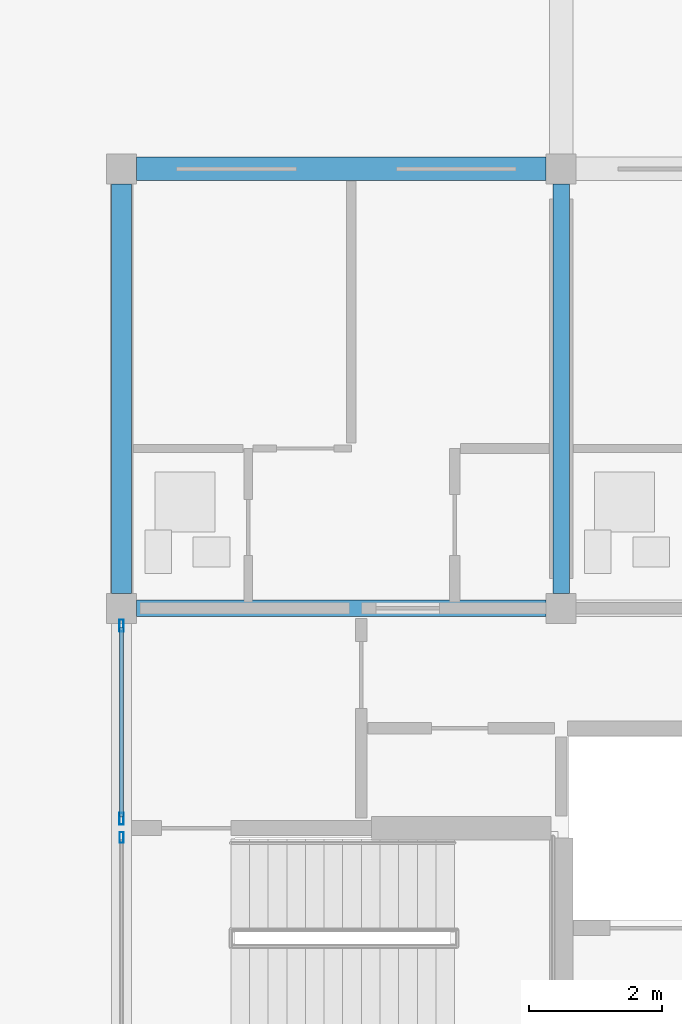
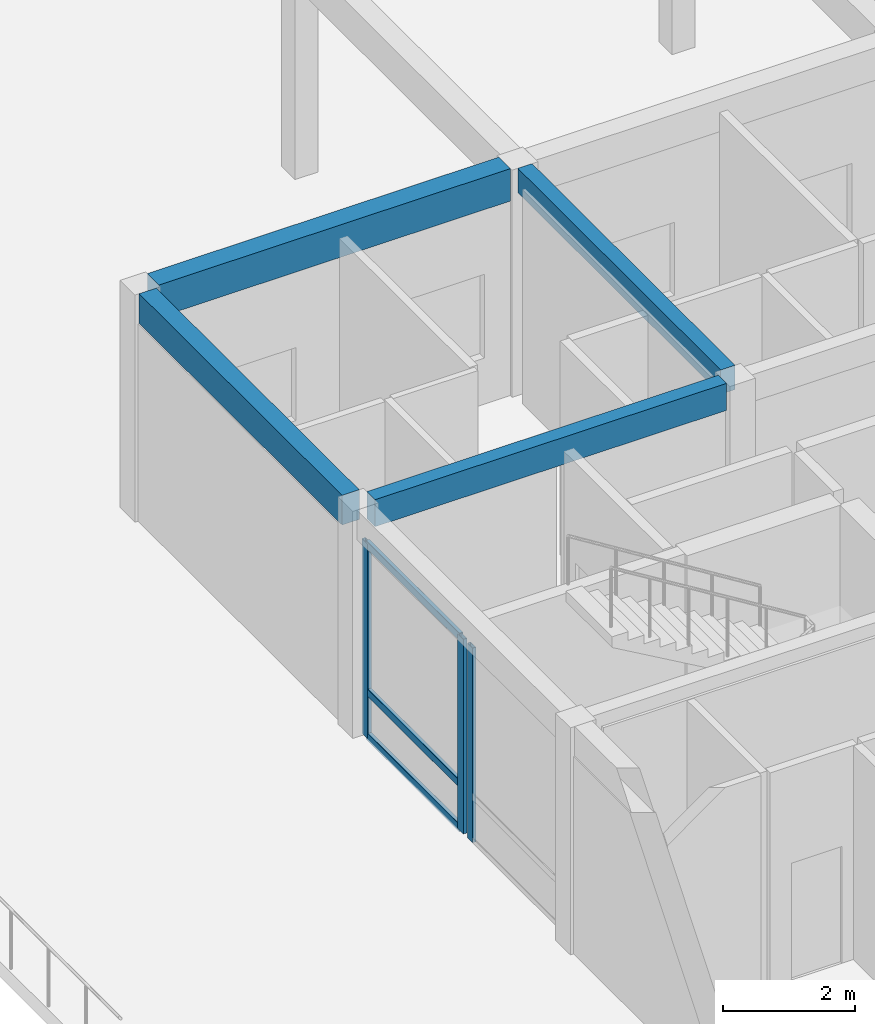
# One storey, part 13 of 92: 6 members, 4 beams, 2 elements without a shape of their own.
"""IFC4 building model written with IfcOpenShell, lengths in metres."""

from ifc_helpers import new_model, si_unit, direction, frame, origin, origin_2d, place, context, subcontext, project, spatial, rectangle, hollow_rectangle, extrude, material, material_profile, profile_set, type_object, element, aggregate, save


model = new_model("IFC4")

# Units and contexts
model_context = context("Model", 3, precision=1e-05, world=origin(), true_north=direction((0.0, 1.0)))
body_context = subcontext(model_context, "Body", "Model", "MODEL_VIEW")
ifc_project = project(units=[si_unit("LENGTHUNIT", "METRE"), si_unit("AREAUNIT", "SQUARE_METRE"), si_unit("VOLUMEUNIT", "CUBIC_METRE"), si_unit("PLANEANGLEUNIT", "RADIAN"), si_unit("MASSUNIT", "GRAM", prefix="KILO")], contexts=[model_context])

# Site, building, storey
site_placement = place(None, origin())
site = spatial("IfcSite", under=ifc_project, at=site_placement, CompositionType="ELEMENT")
building_placement = place(site_placement, origin())
building = spatial("IfcBuilding", under=site, at=building_placement, Name="Kernevlak Ridge Housing Community", CompositionType="ELEMENT")
storey_placement = place(building_placement, frame((0.0, 0.0, 4.199951171875)))
storey = spatial("IfcBuildingStorey", under=building, at=storey_placement, Name="L01", CompositionType="ELEMENT", Elevation=4.199951171875)

# Beams
ifc_material_1 = material(Name="Concrete C35/45", Category="concrete")
ifc_material_profile_1 = material_profile(ifc_material_1, rectangle(XDim=0.25, YDim=0.449951171875, at=origin_2d()), Name="RC 250x450")
ifc_profile_set_1 = profile_set([ifc_material_profile_1], Name="Concrete C35/45")
beam_type_1 = type_object("IfcBeamType", Name="B-04", PredefinedType="T_BEAM", material=ifc_profile_set_1)
beam_1_placement = place(storey_placement, frame((22.199951171875, 29.02490234375, 3.97509765625), z_axis=(0.0, 1.0, 0.0), x_axis=(-1.0, 0.0, 0.0)))
element("IfcBeam", 1, at=beam_1_placement, inside=storey, type_object=beam_type_1, Name="Beam B-04 L01 1357", PredefinedType="T_BEAM", context=body_context, shape_type="SweptSolid", body=[
    extrude(rectangle(XDim=0.25, YDim=0.449951171875, at=origin_2d()), origin(), (0.0, 0.0, 1.0), 6.150146484375),
])
ifc_material_profile_2 = material_profile(ifc_material_1, rectangle(XDim=0.25, YDim=0.5, at=origin_2d()), Name="RC 250x500")
ifc_profile_set_2 = profile_set([ifc_material_profile_2], Name="Concrete C35/45")
beam_type_2 = type_object("IfcBeamType", Name="B-06", PredefinedType="T_BEAM", material=ifc_profile_set_2)
beam_2_placement = place(storey_placement, frame((15.824951171875, 28.800048828125, 3.949951171875), z_axis=(1.0, 0.0, 0.0), x_axis=(0.0, 1.0, 0.0)))
element("IfcBeam", 2, at=beam_2_placement, inside=storey, type_object=beam_type_2, Name="Beam B-06 L01 1345", PredefinedType="T_BEAM", context=body_context, shape_type="SweptSolid", body=[
    extrude(rectangle(XDim=0.25, YDim=0.5, at=origin_2d()), origin(), (0.0, 0.0, 1.0), 6.150146484375),
])

# Curtain wall, member
ifc_material_2 = material(Name="Aluminium EN AW-6060 anodised and laminated glass", Category="aluminium")
curtain_wall_type_1 = type_object("IfcCurtainWallType", Name="CW-11", PredefinedType="NOTDEFINED", material=ifc_material_2)
curtain_wall_1_placement = place(storey_placement, origin())
curtain_wall_1 = element("IfcCurtainWall", 3, at=curtain_wall_1_placement, inside=storey, type_object=curtain_wall_type_1, Name="Curtain wall CW-11 CW-L01-142", PredefinedType="NOTDEFINED")
ifc_material_3 = material(Name="Aluminium EN AW-6060 anodised", Category="aluminium")
ifc_material_profile_3 = material_profile(ifc_material_3, hollow_rectangle(XDim=0.06005859375, YDim=0.159912109375, WallThickness=0.00390625, InnerFilletRadius=0.001953125, OuterFilletRadius=0.00390625, at=origin_2d()), Name="ALU 60x160x4")
ifc_profile_set_3 = profile_set([ifc_material_profile_3], Name="Aluminium EN AW-6060 anodised")
member_type_1 = type_object("IfcMemberType", Name="MU-02", PredefinedType="MULLION", material=ifc_profile_set_3)
member_1_placement = place(storey_placement, frame((15.60009765625, 25.360107421875, 0.0), z_axis=(0.0, 0.0, 1.0), x_axis=(-1.0, 0.0, 0.0)))
member_1 = element("IfcMember", 4, at=member_1_placement, type_object=member_type_1, Name="CW-11 mullion 2", PredefinedType="MULLION", context=body_context, shape_type="SweptSolid", body=[
    extrude(hollow_rectangle(XDim=0.06005859375, YDim=0.159912109375, WallThickness=0.00390625, InnerFilletRadius=0.001953125, OuterFilletRadius=0.00390625, at=origin_2d()), origin(), (0.0, 0.0, 1.0), 3.60009765625),
])
aggregate(curtain_wall_1, [member_1])

# Curtain wall, members
curtain_wall_type_2 = type_object("IfcCurtainWallType", Name="CW-03", PredefinedType="NOTDEFINED", material=ifc_material_2)
curtain_wall_2_placement = place(storey_placement, origin())
curtain_wall_2 = element("IfcCurtainWall", 5, at=curtain_wall_2_placement, inside=storey, type_object=curtain_wall_type_2, Name="Curtain wall CW-03 CW-L01-143", PredefinedType="NOTDEFINED")
ifc_material_profile_4 = material_profile(ifc_material_3, hollow_rectangle(XDim=0.06494140625, YDim=0.179931640625, WallThickness=0.00439453125, InnerFilletRadius=0.001953125, OuterFilletRadius=0.00439453125, at=origin_2d()), Name="ALU 65x180x4.5")
ifc_profile_set_4 = profile_set([ifc_material_profile_4], Name="Aluminium EN AW-6060 anodised")
member_type_2 = type_object("IfcMemberType", Name="MU-03", PredefinedType="MULLION", material=ifc_profile_set_4)
member_2_placement = place(storey_placement, frame((15.60009765625, 25.642578125, 0.0), z_axis=(0.0, 0.0, 1.0), x_axis=(-1.0, 0.0, 0.0)))
member_2 = element("IfcMember", 6, at=member_2_placement, type_object=member_type_2, Name="CW-03 mullion 1", PredefinedType="MULLION", context=body_context, shape_type="SweptSolid", body=[
    extrude(hollow_rectangle(XDim=0.06494140625, YDim=0.179931640625, WallThickness=0.00439453125, InnerFilletRadius=0.001953125, OuterFilletRadius=0.00439453125, at=origin_2d()), origin(), (0.0, 0.0, 1.0), 3.60009765625),
])
member_3_placement = place(storey_placement, frame((15.60009765625, 28.54248046875, 0.0), z_axis=(0.0, 0.0, 1.0), x_axis=(-1.0, 0.0, 0.0)))
member_3 = element("IfcMember", 7, at=member_3_placement, type_object=member_type_2, Name="CW-03 mullion 2", PredefinedType="MULLION", context=body_context, shape_type="SweptSolid", body=[
    extrude(hollow_rectangle(XDim=0.06494140625, YDim=0.179931640625, WallThickness=0.00439453125, InnerFilletRadius=0.001953125, OuterFilletRadius=0.00439453125, at=origin_2d()), origin(), (0.0, 0.0, 1.0), 3.60009765625),
])

# Beams
ifc_material_profile_5 = material_profile(ifc_material_1, rectangle(XDim=0.300048828125, YDim=0.550048828125, at=origin_2d()), Name="RC 300x550")
ifc_profile_set_5 = profile_set([ifc_material_profile_5], Name="Concrete C35/45")
beam_type_3 = type_object("IfcBeamType", Name="SP-01", PredefinedType="SPANDREL", material=ifc_profile_set_5)
beam_3_placement = place(storey_placement, frame((15.60009765625, 29.02490234375, 3.925048828125), z_axis=(0.0, 1.0, 0.0), x_axis=(-1.0, 0.0, 0.0)))
element("IfcBeam", 8, at=beam_3_placement, inside=storey, type_object=beam_type_3, Name="Beam SP-01 L01 1355", PredefinedType="SPANDREL", context=body_context, shape_type="SweptSolid", body=[
    extrude(rectangle(XDim=0.300048828125, YDim=0.550048828125, at=origin_2d()), origin(), (0.0, 0.0, 1.0), 6.150146484375),
])
ifc_material_profile_6 = material_profile(ifc_material_1, rectangle(XDim=0.35009765625, YDim=0.60009765625, at=origin_2d()), Name="RC 350x600")
ifc_profile_set_6 = profile_set([ifc_material_profile_6], Name="Concrete C35/45")
beam_type_4 = type_object("IfcBeamType", Name="SP-03", PredefinedType="SPANDREL", material=ifc_profile_set_6)
beam_4_placement = place(storey_placement, frame((15.824951171875, 35.39990234375, 3.900146484375), z_axis=(1.0, 0.0, 0.0), x_axis=(0.0, 1.0, 0.0)))
element("IfcBeam", 9, at=beam_4_placement, inside=storey, type_object=beam_type_4, Name="Beam SP-03 L01 1349", PredefinedType="SPANDREL", context=body_context, shape_type="SweptSolid", body=[
    extrude(rectangle(XDim=0.35009765625, YDim=0.60009765625, at=origin_2d()), origin(), (0.0, 0.0, 1.0), 6.150146484375),
])

# Member
ifc_material_profile_7 = material_profile(ifc_material_3, hollow_rectangle(XDim=0.06494140625, YDim=0.139892578125, WallThickness=0.00390625, InnerFilletRadius=0.001953125, OuterFilletRadius=0.00390625, at=origin_2d()), Name="ALU 65x140x4")
ifc_profile_set_7 = profile_set([ifc_material_profile_7], Name="Aluminium EN AW-6060 anodised")
member_type_3 = type_object("IfcMemberType", Name="TM-03", PredefinedType="USERDEFINED", material=ifc_profile_set_7)
member_4_placement = place(storey_placement, frame((15.60009765625, 25.675048828125, 0.032470703125), z_axis=(0.0, 1.0, 0.0), x_axis=(-1.0, 0.0, 0.0)))
member_4 = element("IfcMember", 10, at=member_4_placement, type_object=member_type_3, Name="CW-03 transom 1.1", ObjectType="TRANSOM", PredefinedType="USERDEFINED", context=body_context, shape_type="SweptSolid", body=[
    extrude(hollow_rectangle(XDim=0.06494140625, YDim=0.139892578125, WallThickness=0.00390625, InnerFilletRadius=0.001953125, OuterFilletRadius=0.00390625, at=origin_2d()), origin(), (0.0, 0.0, 1.0), 2.8349609375),
])

member_5_placement = place(storey_placement, frame((15.60009765625, 25.675048828125, 0.85009765625), z_axis=(0.0, 1.0, 0.0), x_axis=(-1.0, 0.0, 0.0)))
member_5 = element("IfcMember", 11, at=member_5_placement, type_object=member_type_3, Name="CW-03 transom 1.2", ObjectType="TRANSOM", PredefinedType="USERDEFINED", context=body_context, shape_type="SweptSolid", body=[
    extrude(hollow_rectangle(XDim=0.06494140625, YDim=0.139892578125, WallThickness=0.00390625, InnerFilletRadius=0.001953125, OuterFilletRadius=0.00390625, at=origin_2d()), origin(), (0.0, 0.0, 1.0), 2.8349609375),
])

member_6_placement = place(storey_placement, frame((15.60009765625, 25.675048828125, 3.567626953125), z_axis=(0.0, 1.0, 0.0), x_axis=(-1.0, 0.0, 0.0)))
member_6 = element("IfcMember", 12, at=member_6_placement, type_object=member_type_3, Name="CW-03 transom 1.3", ObjectType="TRANSOM", PredefinedType="USERDEFINED", context=body_context, shape_type="SweptSolid", body=[
    extrude(hollow_rectangle(XDim=0.06494140625, YDim=0.139892578125, WallThickness=0.00390625, InnerFilletRadius=0.001953125, OuterFilletRadius=0.00390625, at=origin_2d()), origin(), (0.0, 0.0, 1.0), 2.8349609375),
])

aggregate(curtain_wall_2, [member_2, member_3, member_4, member_5, member_6])

save(model, "model.ifc")
